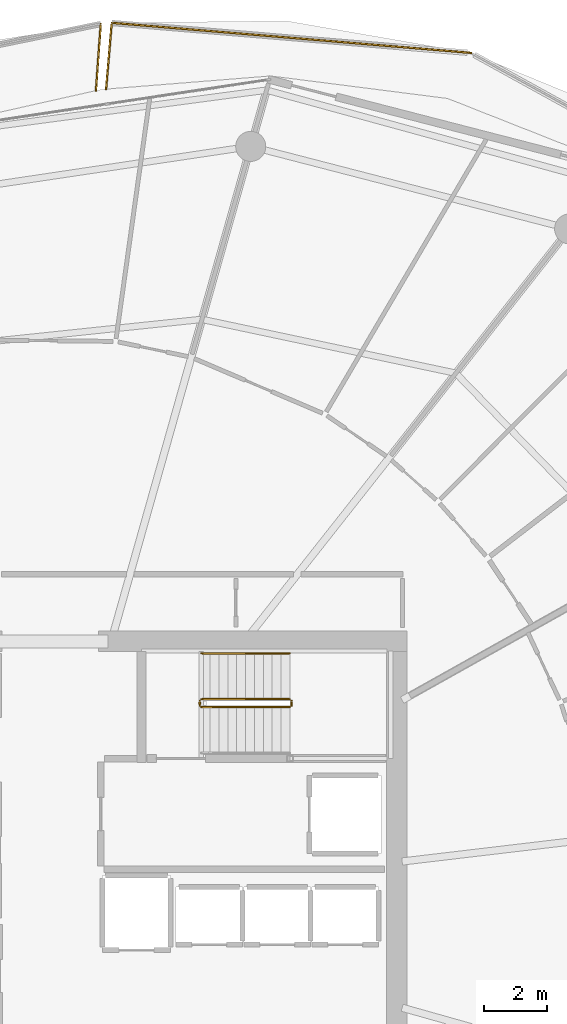
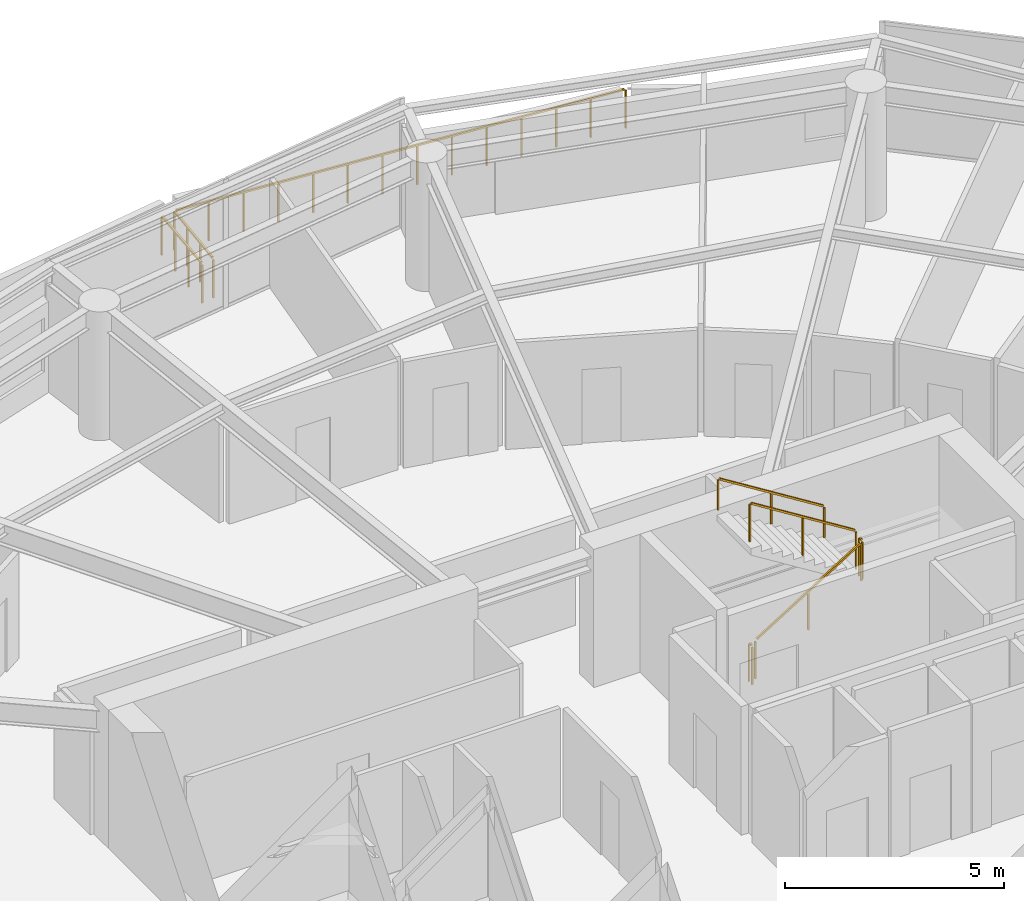
# One storey, part 29 of 30: 8 railings.
"""IFC4 building model written with IfcOpenShell, lengths in metres."""

from ifc_helpers import new_model, si_unit, direction, frame, origin, origin_2d, place, context, subcontext, project, spatial, rectangle, extrude, material, type_object, element, save


model = new_model("IFC4")

# Units and contexts
model_context = context("Model", 3, precision=1e-05, world=origin(), true_north=direction((0.0, 1.0)))
body_context = subcontext(model_context, "Body", "Model", "MODEL_VIEW")
ifc_project = project(units=[si_unit("LENGTHUNIT", "METRE"), si_unit("AREAUNIT", "SQUARE_METRE"), si_unit("VOLUMEUNIT", "CUBIC_METRE"), si_unit("PLANEANGLEUNIT", "RADIAN"), si_unit("MASSUNIT", "GRAM", prefix="KILO")], contexts=[model_context])

# Site, building, storey
site_placement = place(None, origin())
site = spatial("IfcSite", under=ifc_project, at=site_placement, CompositionType="ELEMENT")
building_placement = place(site_placement, origin())
building = spatial("IfcBuilding", under=site, at=building_placement, Name="Kazma Halo Residences", CompositionType="ELEMENT")
storey_placement = place(building_placement, frame((0.0, 0.0, 244.39990234375)))
storey = spatial("IfcBuildingStorey", under=building, at=storey_placement, Name="L61", CompositionType="ELEMENT", Elevation=244.39990234375)

# Railings
ifc_material_1 = material(Name="Aluminium AW-6063 T6 Brushed Cap Rail", Category="aluminium")
railing_type_1 = type_object("IfcRailingType", Name="RLG-BAL-CAP-1120", PredefinedType="BALUSTRADE", material=ifc_material_1)
railing_1_placement = place(storey_placement, frame((61.72509765625, 68.936767578125, 0.0)))
element("IfcRailing", 1, at=railing_1_placement, inside=storey, type_object=railing_type_1, Name="L61 NE wave balcony guard 3", PredefinedType="BALUSTRADE", context=body_context, shape_type="SweptSolid", body=[
    extrude(rectangle(XDim=0.050048828125, YDim=0.050048828125, at=origin_2d()), frame((-0.04248046875, 0.003662109375, 1.09521484375), z_axis=(-0.996515855772, 0.08340353227, 0.0), x_axis=(-0.08340353227, -0.996515855772, 0.0)), (0.0, 0.0, 1.0), 11.3134765625),
    extrude(rectangle(XDim=0.0400390625, YDim=0.0400390625, at=origin_2d()), origin(), (0.0, 0.0, 1.0), 1.05810546875),
    extrude(rectangle(XDim=0.0400390625, YDim=0.0400390625, at=origin_2d()), frame((-0.873779296875, 0.0732421875, 0.0)), (0.0, 0.0, 1.0), 1.05810546875),
    extrude(rectangle(XDim=0.0400390625, YDim=0.0400390625, at=origin_2d()), frame((-1.74755859375, 0.146240234375, 0.0)), (0.0, 0.0, 1.0), 1.05810546875),
    extrude(rectangle(XDim=0.0400390625, YDim=0.0400390625, at=origin_2d()), frame((-2.621337890625, 0.219482421875, 0.0)), (0.0, 0.0, 1.0), 1.05810546875),
    extrude(rectangle(XDim=0.0400390625, YDim=0.0400390625, at=origin_2d()), frame((-3.4951171875, 0.29248046875, 0.0)), (0.0, 0.0, 1.0), 1.05810546875),
    extrude(rectangle(XDim=0.0400390625, YDim=0.0400390625, at=origin_2d()), frame((-4.368896484375, 0.36572265625, 0.0)), (0.0, 0.0, 1.0), 1.05810546875),
    extrude(rectangle(XDim=0.0400390625, YDim=0.0400390625, at=origin_2d()), frame((-5.24267578125, 0.438720703125, 0.0)), (0.0, 0.0, 1.0), 1.05810546875),
    extrude(rectangle(XDim=0.0400390625, YDim=0.0400390625, at=origin_2d()), frame((-6.1162109375, 0.511962890625, 0.0)), (0.0, 0.0, 1.0), 1.05810546875),
    extrude(rectangle(XDim=0.0400390625, YDim=0.0400390625, at=origin_2d()), frame((-6.989990234375, 0.5849609375, 0.0)), (0.0, 0.0, 1.0), 1.05810546875),
    extrude(rectangle(XDim=0.0400390625, YDim=0.0400390625, at=origin_2d()), frame((-7.86376953125, 0.658203125, 0.0)), (0.0, 0.0, 1.0), 1.05810546875),
    extrude(rectangle(XDim=0.0400390625, YDim=0.0400390625, at=origin_2d()), frame((-8.737548828125, 0.731201171875, 0.0)), (0.0, 0.0, 1.0), 1.05810546875),
    extrude(rectangle(XDim=0.0400390625, YDim=0.0400390625, at=origin_2d()), frame((-9.611328125, 0.804443359375, 0.0)), (0.0, 0.0, 1.0), 1.05810546875),
    extrude(rectangle(XDim=0.0400390625, YDim=0.0400390625, at=origin_2d()), frame((-10.485107421875, 0.87744140625, 0.0)), (0.0, 0.0, 1.0), 1.05810546875),
    extrude(rectangle(XDim=0.0400390625, YDim=0.0400390625, at=origin_2d()), frame((-11.35888671875, 0.95068359375, 0.0)), (0.0, 0.0, 1.0), 1.05810546875),
])
railing_2_placement = place(storey_placement, frame((50.3662109375, 69.887451171875, 0.0)))
element("IfcRailing", 2, at=railing_2_placement, inside=storey, type_object=railing_type_1, Name="L61 NE wave balcony guard 4", PredefinedType="BALUSTRADE", context=body_context, shape_type="SweptSolid", body=[
    extrude(rectangle(XDim=0.050048828125, YDim=0.050048828125, at=origin_2d()), frame((-0.003662109375, -0.04248046875, 1.09521484375), z_axis=(-0.084488057574, -0.996424491935, 0.0), x_axis=(0.996424491935, -0.084488057574, 0.0)), (0.0, 0.0, 1.0), 2.015625),
    extrude(rectangle(XDim=0.0400390625, YDim=0.0400390625, at=origin_2d()), origin(), (0.0, 0.0, 1.0), 1.05810546875),
    extrude(rectangle(XDim=0.0400390625, YDim=0.0400390625, at=origin_2d()), frame((-0.05908203125, -0.69775390625, 0.0)), (0.0, 0.0, 1.0), 1.05810546875),
    extrude(rectangle(XDim=0.0400390625, YDim=0.0400390625, at=origin_2d()), frame((-0.118408203125, -1.3955078125, 0.0)), (0.0, 0.0, 1.0), 1.05810546875),
    extrude(rectangle(XDim=0.0400390625, YDim=0.0400390625, at=origin_2d()), frame((-0.177490234375, -2.09326171875, 0.0)), (0.0, 0.0, 1.0), 1.05810546875),
])
railing_3_placement = place(storey_placement, frame((49.8681640625, 67.74609375, 0.0)))
element("IfcRailing", 3, at=railing_3_placement, inside=storey, type_object=railing_type_1, Name="L61 NNW wave balcony guard 1", PredefinedType="BALUSTRADE", context=body_context, shape_type="SweptSolid", body=[
    extrude(rectangle(XDim=0.050048828125, YDim=0.050048828125, at=origin_2d()), frame((0.003173828125, 0.04248046875, 1.09521484375), z_axis=(0.072264274911, 0.997385519532, 0.0), x_axis=(-0.997385519532, 0.072264274911, 0.0)), (0.0, 0.0, 1.0), 2.02978515625),
    extrude(rectangle(XDim=0.0400390625, YDim=0.0400390625, at=origin_2d()), origin(), (0.0, 0.0, 1.0), 1.05810546875),
    extrude(rectangle(XDim=0.0400390625, YDim=0.0400390625, at=origin_2d()), frame((0.051025390625, 0.703125, 0.0)), (0.0, 0.0, 1.0), 1.05810546875),
    extrude(rectangle(XDim=0.0400390625, YDim=0.0400390625, at=origin_2d()), frame((0.101806640625, 1.40625, 0.0)), (0.0, 0.0, 1.0), 1.05810546875),
    extrude(rectangle(XDim=0.0400390625, YDim=0.0400390625, at=origin_2d()), frame((0.15283203125, 2.109375, 0.0)), (0.0, 0.0, 1.0), 1.05810546875),
])
ifc_material_2 = material(Name="Painted Steel S355", Category="steel")
railing_type_2 = type_object("IfcRailingType", Name="RLG-STAIR-GRD-1100", PredefinedType="GUARDRAIL", material=ifc_material_2)
railing_4_placement = place(storey_placement, frame((53.199951171875, 48.25, 0.175048828125)))
element("IfcRailing", 4, at=railing_4_placement, inside=storey, type_object=railing_type_2, Name="L61 ST-02 stair guard 1", PredefinedType="GUARDRAIL", context=body_context, shape_type="SweptSolid", body=[
    extrude(rectangle(XDim=0.050048828125, YDim=0.050048828125, at=origin_2d()), frame((0.0361328125, 0.0, 1.09765625), z_axis=(0.848002457836, 0.0, 0.529992293815), x_axis=(0.0, 1.0, 0.0)), (0.0, 0.0, 1.0), 3.216796875),
    extrude(rectangle(XDim=0.0400390625, YDim=0.0400390625, at=origin_2d()), origin(), (0.0, 0.0, 1.0), 1.0380859375),
    extrude(rectangle(XDim=0.0400390625, YDim=0.0400390625, at=origin_2d()), frame((1.39990234375, 0.0, 0.875)), (0.0, 0.0, 1.0), 1.0380859375),
    extrude(rectangle(XDim=0.0400390625, YDim=0.0400390625, at=origin_2d()), frame((2.800048828125, 0.0, 1.75)), (0.0, 0.0, 1.0), 1.0380859375),
])
railing_5_placement = place(storey_placement, frame((56.050048828125, 48.300048828125, 1.925048828125)))
element("IfcRailing", 5, at=railing_5_placement, inside=storey, type_object=railing_type_2, Name="L61 ST-02 stair guard 2", PredefinedType="GUARDRAIL", context=body_context, shape_type="SweptSolid", body=[
    extrude(rectangle(XDim=0.050048828125, YDim=0.050048828125, at=origin_2d()), frame((0.0, 0.04248046875, 1.0751953125), z_axis=(0.0, 1.0, 0.0), x_axis=(-1.0, 0.0, 0.0)), (0.0, 0.0, 1.0), 0.06494140625),
    extrude(rectangle(XDim=0.0400390625, YDim=0.0400390625, at=origin_2d()), origin(), (0.0, 0.0, 1.0), 1.0380859375),
    extrude(rectangle(XDim=0.0400390625, YDim=0.0400390625, at=origin_2d()), frame((0.0, 0.14990234375, 0.0)), (0.0, 0.0, 1.0), 1.0380859375),
])
railing_6_placement = place(storey_placement, frame((56.0, 48.5, 2.10009765625)))
element("IfcRailing", 6, at=railing_6_placement, inside=storey, type_object=railing_type_2, Name="L61 ST-02 stair guard 3", PredefinedType="GUARDRAIL", context=body_context, shape_type="SweptSolid", body=[
    extrude(rectangle(XDim=0.050048828125, YDim=0.050048828125, at=origin_2d()), frame((-0.0361328125, 0.0, 1.09765625), z_axis=(-0.848002457836, 0.0, 0.529992293815), x_axis=(0.0, -1.0, 0.0)), (0.0, 0.0, 1.0), 3.216796875),
    extrude(rectangle(XDim=0.0400390625, YDim=0.0400390625, at=origin_2d()), origin(), (0.0, 0.0, 1.0), 1.0380859375),
    extrude(rectangle(XDim=0.0400390625, YDim=0.0400390625, at=origin_2d()), frame((-1.39990234375, 0.0, 0.875)), (0.0, 0.0, 1.0), 1.0380859375),
    extrude(rectangle(XDim=0.0400390625, YDim=0.0400390625, at=origin_2d()), frame((-2.800048828125, 0.0, 1.75)), (0.0, 0.0, 1.0), 1.0380859375),
])
railing_7_placement = place(storey_placement, frame((53.14990234375, 48.300048828125, 0.0)))
element("IfcRailing", 7, at=railing_7_placement, inside=storey, type_object=railing_type_2, Name="L61 ST-02 stair guard 4", PredefinedType="GUARDRAIL", context=body_context, shape_type="SweptSolid", body=[
    extrude(rectangle(XDim=0.050048828125, YDim=0.050048828125, at=origin_2d()), frame((0.0, 0.04248046875, 1.0751953125), z_axis=(0.0, 1.0, 0.0), x_axis=(-1.0, 0.0, 0.0)), (0.0, 0.0, 1.0), 0.06494140625),
    extrude(rectangle(XDim=0.0400390625, YDim=0.0400390625, at=origin_2d()), origin(), (0.0, 0.0, 1.0), 1.0380859375),
    extrude(rectangle(XDim=0.0400390625, YDim=0.0400390625, at=origin_2d()), frame((0.0, 0.14990234375, 0.0)), (0.0, 0.0, 1.0), 1.0380859375),
])
ifc_material_3 = material(Name="Brushed Stainless Steel", Category="steel")
railing_type_3 = type_object("IfcRailingType", Name="RLG-STAIR-HND-900", PredefinedType="HANDRAIL", material=ifc_material_3)
railing_8_placement = place(storey_placement, frame((56.0, 49.949951171875, 2.10009765625)))
element("IfcRailing", 8, at=railing_8_placement, inside=storey, type_object=railing_type_3, Name="L61 ST-02 stair handrail 2", PredefinedType="HANDRAIL", context=body_context, shape_type="SweptSolid", body=[
    extrude(rectangle(XDim=0.050048828125, YDim=0.050048828125, at=origin_2d()), frame((-0.0361328125, 0.0, 0.8974609375), z_axis=(-0.848002457836, 0.0, 0.529992293815), x_axis=(0.0, -1.0, 0.0)), (0.0, 0.0, 1.0), 3.216796875),
    extrude(rectangle(XDim=0.0400390625, YDim=0.0400390625, at=origin_2d()), origin(), (0.0, 0.0, 1.0), 0.837890625),
    extrude(rectangle(XDim=0.0400390625, YDim=0.0400390625, at=origin_2d()), frame((-1.39990234375, 0.0, 0.875)), (0.0, 0.0, 1.0), 0.837890625),
    extrude(rectangle(XDim=0.0400390625, YDim=0.0400390625, at=origin_2d()), frame((-2.800048828125, 0.0, 1.75)), (0.0, 0.0, 1.0), 0.837890625),
])

save(model, "model.ifc")
